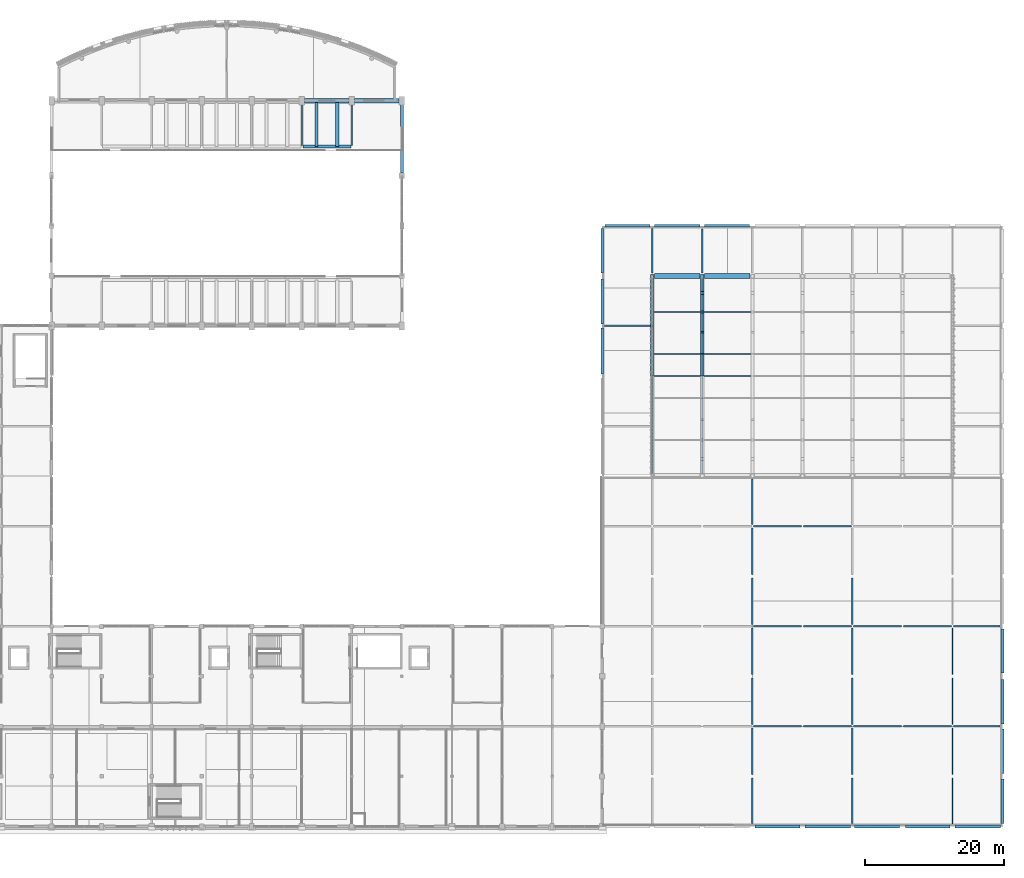
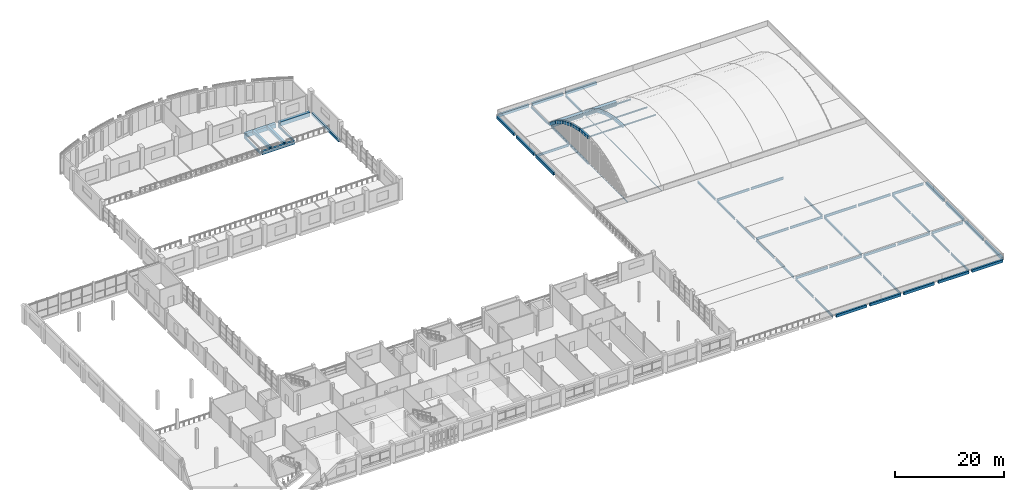
# One storey, part 29 of 71: 74 beams, 2 members.
"""IFC4 building model written with IfcOpenShell, lengths in metres."""

from ifc_helpers import new_model, si_unit, direction, frame, origin, origin_2d, place, context, subcontext, project, spatial, rectangle, hollow_circle, i_section, extrude, material, material_profile, profile_set, type_object, element, save


model = new_model("IFC4")

# Units and contexts
model_context = context("Model", 3, precision=1e-05, world=origin(), true_north=direction((0.0, 1.0)))
body_context = subcontext(model_context, "Body", "Model", "MODEL_VIEW")
ifc_project = project(units=[si_unit("LENGTHUNIT", "METRE"), si_unit("AREAUNIT", "SQUARE_METRE"), si_unit("VOLUMEUNIT", "CUBIC_METRE"), si_unit("PLANEANGLEUNIT", "RADIAN"), si_unit("MASSUNIT", "GRAM", prefix="KILO")], contexts=[model_context])

# Site, building, storey
site_placement = place(None, origin())
site = spatial("IfcSite", under=ifc_project, at=site_placement, CompositionType="ELEMENT")
building_placement = place(site_placement, origin())
building = spatial("IfcBuilding", under=site, at=building_placement, Name="Sardonyx Promenade Sports Hall", CompositionType="ELEMENT")
storey_placement = place(building_placement, frame((0.0, 0.0, 16.0)))
storey = spatial("IfcBuildingStorey", under=building, at=storey_placement, Name="L03", CompositionType="ELEMENT", Elevation=16.0)

# Beams
ifc_material_1 = material(Name="Concrete C50/60", Category="concrete")
ifc_material_profile_1 = material_profile(ifc_material_1, rectangle(XDim=0.64990234375, YDim=0.89990234375, at=origin_2d()))
ifc_profile_set_1 = profile_set([ifc_material_profile_1], Name="Concrete C50/60")
beam_type_1 = type_object("IfcBeamType", Name="Bm_Girder_RC900", PredefinedType="BEAM", material=ifc_profile_set_1)
for number, where, z_axis, x_axis, name in (
    (1, (65.195068359375, 104.39990234375, -0.449951171875), (1.0, 0.0, 0.0), (0.0, 1.0, 0.0), "North stand pier girder L03 #52"),
    (2, (72.39501953125, 104.39990234375, -0.449951171875), (1.0, 0.0, 0.0), (0.0, 1.0, 0.0), "North stand pier girder L03 #53"),
):
    element("IfcBeam", number, at=place(storey_placement, frame(where, z_axis=z_axis, x_axis=x_axis)), inside=storey, type_object=beam_type_1, Name=name, PredefinedType="BEAM", context=body_context, shape_type="SweptSolid", body=[
        extrude(rectangle(XDim=0.64990234375, YDim=0.89990234375, at=origin_2d()), origin(), (0.0, 0.0, 1.0), 6.409912109375),
    ])
ifc_material_2 = material(Name="Steel S355JR", Category="steel")
ifc_material_profile_2 = material_profile(ifc_material_2, i_section(OverallWidth=0.199951171875, OverallDepth=0.5, WebThickness=0.01025390625, FlangeThickness=0.01611328125, at=origin_2d()))
ifc_profile_set_2 = profile_set([ifc_material_profile_2], Name="Steel S355JR")
beam_type_2 = type_object("IfcBeamType", Name="Bm_Primary_IPE500", PredefinedType="BEAM", material=ifc_profile_set_2)
for number, where, z_axis, x_axis, name in (
    (3, (64.800048828125, 97.949951171875, -0.469970703125), (0.0, 1.0, 0.0), (-1.0, 0.0, 0.0), "Beam SB06 L03 #848"),
    (4, (72.0, 97.949951171875, -0.469970703125), (0.0, 1.0, 0.0), (-1.0, 0.0, 0.0), "Beam SB06 L03 #854"),
):
    element("IfcBeam", number, at=place(storey_placement, frame(where, z_axis=z_axis, x_axis=x_axis)), inside=storey, type_object=beam_type_2, Name=name, PredefinedType="BEAM", context=body_context, shape_type="SweptSolid", body=[
        extrude(i_section(OverallWidth=0.199951171875, OverallDepth=0.5, WebThickness=0.01025390625, FlangeThickness=0.01611328125, at=origin_2d()), origin(), (0.0, 0.0, 1.0), 6.0),
    ])
beam_1_placement = place(storey_placement, frame((115.199951171875, 65.044921875, -0.47998046875), z_axis=(0.0, 1.0, 0.0), x_axis=(-1.0, 0.0, 0.0)))
element("IfcBeam", 5, at=beam_1_placement, inside=storey, type_object=beam_type_2, Name="Beam SB06 L03 #890", PredefinedType="BEAM", context=body_context, shape_type="SweptSolid", body=[
    extrude(i_section(OverallWidth=0.199951171875, OverallDepth=0.5, WebThickness=0.01025390625, FlangeThickness=0.01611328125, at=origin_2d()), origin(), (0.0, 0.0, 1.0), 6.7099609375),
])
beam_2_placement = place(storey_placement, frame((115.199951171875, 72.2451171875, -0.47998046875), z_axis=(0.0, 1.0, 0.0), x_axis=(-1.0, 0.0, 0.0)))
element("IfcBeam", 6, at=beam_2_placement, inside=storey, type_object=beam_type_2, Name="Beam SB06 L03 #891", PredefinedType="BEAM", context=body_context, shape_type="SweptSolid", body=[
    extrude(i_section(OverallWidth=0.199951171875, OverallDepth=0.5, WebThickness=0.01025390625, FlangeThickness=0.01611328125, at=origin_2d()), origin(), (0.0, 0.0, 1.0), 6.5048828125),
])
beam_3_placement = place(storey_placement, frame((115.199951171875, 79.64990234375, -0.47998046875), z_axis=(0.0, 1.0, 0.0), x_axis=(-1.0, 0.0, 0.0)))
element("IfcBeam", 7, at=beam_3_placement, inside=storey, type_object=beam_type_2, Name="Beam SB06 L03 #892", PredefinedType="BEAM", context=body_context, shape_type="SweptSolid", body=[
    extrude(i_section(OverallWidth=0.199951171875, OverallDepth=0.5, WebThickness=0.01025390625, FlangeThickness=0.01611328125, at=origin_2d()), origin(), (0.0, 0.0, 1.0), 6.400146484375),
])
beam_4_placement = place(storey_placement, frame((122.39990234375, 79.64990234375, -0.47998046875), z_axis=(0.0, 1.0, 0.0), x_axis=(-1.0, 0.0, 0.0)))
element("IfcBeam", 8, at=beam_4_placement, inside=storey, type_object=beam_type_2, Name="Beam SB06 L03 #893", PredefinedType="BEAM", context=body_context, shape_type="SweptSolid", body=[
    extrude(i_section(OverallWidth=0.199951171875, OverallDepth=0.5, WebThickness=0.01025390625, FlangeThickness=0.01611328125, at=origin_2d()), origin(), (0.0, 0.0, 1.0), 6.300048828125),
])
beam_5_placement = place(storey_placement, frame((129.60009765625, 0.39990234375, -0.489990234375), z_axis=(0.0, 1.0, 0.0), x_axis=(-1.0, 0.0, 0.0)))
element("IfcBeam", 9, at=beam_5_placement, inside=storey, type_object=beam_type_2, Name="Beam SB06 L03 #894", PredefinedType="BEAM", context=body_context, shape_type="SweptSolid", body=[
    extrude(i_section(OverallWidth=0.199951171875, OverallDepth=0.5, WebThickness=0.01025390625, FlangeThickness=0.01611328125, at=origin_2d()), origin(), (0.0, 0.0, 1.0), 6.55517578125),
])
for number, where, z_axis, x_axis, name in (
    (10, (129.60009765625, 7.445068359375, -0.489990234375), (0.0, 1.0, 0.0), (-1.0, 0.0, 0.0), "Beam SB06 L03 #895"),
    (11, (129.60009765625, 14.64501953125, -0.489990234375), (0.0, 1.0, 0.0), (-1.0, 0.0, 0.0), "Beam SB06 L03 #896"),
    (12, (129.60009765625, 21.844970703125, -0.489990234375), (0.0, 1.0, 0.0), (-1.0, 0.0, 0.0), "Beam SB06 L03 #897"),
    (13, (129.60009765625, 29.044921875, -0.489990234375), (0.0, 1.0, 0.0), (-1.0, 0.0, 0.0), "Beam SB06 L03 #898"),
    (14, (129.60009765625, 36.2451171875, -0.489990234375), (0.0, 1.0, 0.0), (-1.0, 0.0, 0.0), "Beam SB06 L03 #899"),
):
    element("IfcBeam", number, at=place(storey_placement, frame(where, z_axis=z_axis, x_axis=x_axis)), inside=storey, type_object=beam_type_2, Name=name, PredefinedType="BEAM", context=body_context, shape_type="SweptSolid", body=[
        extrude(i_section(OverallWidth=0.199951171875, OverallDepth=0.5, WebThickness=0.01025390625, FlangeThickness=0.01611328125, at=origin_2d()), origin(), (0.0, 0.0, 1.0), 6.7099609375),
    ])
beam_6_placement = place(storey_placement, frame((129.60009765625, 43.445068359375, -0.489990234375), z_axis=(0.0, 1.0, 0.0), x_axis=(-1.0, 0.0, 0.0)))
element("IfcBeam", 15, at=beam_6_placement, inside=storey, type_object=beam_type_2, Name="Beam SB06 L03 #900", PredefinedType="BEAM", context=body_context, shape_type="SweptSolid", body=[
    extrude(i_section(OverallWidth=0.199951171875, OverallDepth=0.5, WebThickness=0.01025390625, FlangeThickness=0.01611328125, at=origin_2d()), origin(), (0.0, 0.0, 1.0), 6.5048828125),
])
beam_7_placement = place(storey_placement, frame((144.0, 0.449951171875, -0.489990234375), z_axis=(0.0, 1.0, 0.0), x_axis=(-1.0, 0.0, 0.0)))
element("IfcBeam", 16, at=beam_7_placement, inside=storey, type_object=beam_type_2, Name="Beam SB06 L03 #903", PredefinedType="BEAM", context=body_context, shape_type="SweptSolid", body=[
    extrude(i_section(OverallWidth=0.199951171875, OverallDepth=0.5, WebThickness=0.01025390625, FlangeThickness=0.01611328125, at=origin_2d()), origin(), (0.0, 0.0, 1.0), 6.505126953125),
])
for number, where, z_axis, x_axis, name in (
    (17, (144.0, 7.445068359375, -0.489990234375), (0.0, 1.0, 0.0), (-1.0, 0.0, 0.0), "Beam SB06 L03 #904"),
    (18, (144.0, 14.64501953125, -0.489990234375), (0.0, 1.0, 0.0), (-1.0, 0.0, 0.0), "Beam SB06 L03 #905"),
    (19, (144.0, 21.844970703125, -0.489990234375), (0.0, 1.0, 0.0), (-1.0, 0.0, 0.0), "Beam SB06 L03 #906"),
    (20, (144.0, 29.044921875, -0.489990234375), (0.0, 1.0, 0.0), (-1.0, 0.0, 0.0), "Beam SB06 L03 #907"),
):
    element("IfcBeam", number, at=place(storey_placement, frame(where, z_axis=z_axis, x_axis=x_axis)), inside=storey, type_object=beam_type_2, Name=name, PredefinedType="BEAM", context=body_context, shape_type="SweptSolid", body=[
        extrude(i_section(OverallWidth=0.199951171875, OverallDepth=0.5, WebThickness=0.01025390625, FlangeThickness=0.01611328125, at=origin_2d()), origin(), (0.0, 0.0, 1.0), 6.7099609375),
    ])
beam_8_placement = place(storey_placement, frame((158.39990234375, 0.35009765625, -0.489990234375), z_axis=(0.0, 1.0, 0.0), x_axis=(-1.0, 0.0, 0.0)))
element("IfcBeam", 21, at=beam_8_placement, inside=storey, type_object=beam_type_2, Name="Beam SB06 L03 #912", PredefinedType="BEAM", context=body_context, shape_type="SweptSolid", body=[
    extrude(i_section(OverallWidth=0.199951171875, OverallDepth=0.5, WebThickness=0.01025390625, FlangeThickness=0.01611328125, at=origin_2d()), origin(), (0.0, 0.0, 1.0), 6.60498046875),
])
for number, where, z_axis, x_axis, name in (
    (22, (158.39990234375, 7.445068359375, -0.489990234375), (0.0, 1.0, 0.0), (-1.0, 0.0, 0.0), "Beam SB06 L03 #913"),
    (23, (158.39990234375, 14.64501953125, -0.489990234375), (0.0, 1.0, 0.0), (-1.0, 0.0, 0.0), "Beam SB06 L03 #914"),
    (24, (158.39990234375, 21.844970703125, -0.489990234375), (0.0, 1.0, 0.0), (-1.0, 0.0, 0.0), "Beam SB06 L03 #915"),
):
    element("IfcBeam", number, at=place(storey_placement, frame(where, z_axis=z_axis, x_axis=x_axis)), inside=storey, type_object=beam_type_2, Name=name, PredefinedType="BEAM", context=body_context, shape_type="SweptSolid", body=[
        extrude(i_section(OverallWidth=0.199951171875, OverallDepth=0.5, WebThickness=0.01025390625, FlangeThickness=0.01611328125, at=origin_2d()), origin(), (0.0, 0.0, 1.0), 6.7099609375),
    ])
ifc_material_3 = material(Name="Steel S355JR", Category="steel")
ifc_material_profile_3 = material_profile(ifc_material_3, i_section(OverallWidth=0.2099609375, OverallDepth=0.550048828125, WebThickness=0.010986328125, FlangeThickness=0.01708984375, at=origin_2d()))
ifc_profile_set_3 = profile_set([ifc_material_profile_3], Name="Steel S355JR")
beam_type_3 = type_object("IfcBeamType", Name="Bm_Primary_IPE550", PredefinedType="BEAM", material=ifc_profile_set_3)
beam_9_placement = place(storey_placement, frame((129.75, 14.39990234375, -0.514892578125), z_axis=(1.0, 0.0, 0.0), x_axis=(0.0, 1.0, 0.0)))
element("IfcBeam", 25, at=beam_9_placement, inside=storey, type_object=beam_type_3, Name="Beam SB03 L03 #747", PredefinedType="BEAM", context=body_context, shape_type="SweptSolid", body=[
    extrude(i_section(OverallWidth=0.2099609375, OverallDepth=0.550048828125, WebThickness=0.010986328125, FlangeThickness=0.01708984375, at=origin_2d()), origin(), (0.0, 0.0, 1.0), 6.89990234375),
])
for number, where, z_axis, x_axis, name in (
    (26, (136.949951171875, 14.39990234375, -0.514892578125), (1.0, 0.0, 0.0), (0.0, 1.0, 0.0), "Beam SB03 L03 #748"),
    (27, (144.14990234375, 14.39990234375, -0.514892578125), (1.0, 0.0, 0.0), (0.0, 1.0, 0.0), "Beam SB03 L03 #749"),
):
    element("IfcBeam", number, at=place(storey_placement, frame(where, z_axis=z_axis, x_axis=x_axis)), inside=storey, type_object=beam_type_3, Name=name, PredefinedType="BEAM", context=body_context, shape_type="SweptSolid", body=[
        extrude(i_section(OverallWidth=0.2099609375, OverallDepth=0.550048828125, WebThickness=0.010986328125, FlangeThickness=0.01708984375, at=origin_2d()), origin(), (0.0, 0.0, 1.0), 6.900146484375),
    ])
beam_10_placement = place(storey_placement, frame((151.35009765625, 14.39990234375, -0.514892578125), z_axis=(1.0, 0.0, 0.0), x_axis=(0.0, 1.0, 0.0)))
element("IfcBeam", 28, at=beam_10_placement, inside=storey, type_object=beam_type_3, Name="Beam SB03 L03 #750", PredefinedType="BEAM", context=body_context, shape_type="SweptSolid", body=[
    extrude(i_section(OverallWidth=0.2099609375, OverallDepth=0.550048828125, WebThickness=0.010986328125, FlangeThickness=0.01708984375, at=origin_2d()), origin(), (0.0, 0.0, 1.0), 6.89990234375),
])
beam_11_placement = place(storey_placement, frame((158.550048828125, 14.39990234375, -0.514892578125), z_axis=(1.0, 0.0, 0.0), x_axis=(0.0, 1.0, 0.0)))
element("IfcBeam", 29, at=beam_11_placement, inside=storey, type_object=beam_type_3, Name="Beam SB03 L03 #751", PredefinedType="BEAM", context=body_context, shape_type="SweptSolid", body=[
    extrude(i_section(OverallWidth=0.2099609375, OverallDepth=0.550048828125, WebThickness=0.010986328125, FlangeThickness=0.01708984375, at=origin_2d()), origin(), (0.0, 0.0, 1.0), 6.699951171875),
])
beam_12_placement = place(storey_placement, frame((129.75, 28.800048828125, -0.514892578125), z_axis=(1.0, 0.0, 0.0), x_axis=(0.0, 1.0, 0.0)))
element("IfcBeam", 30, at=beam_12_placement, inside=storey, type_object=beam_type_3, Name="Beam SB03 L03 #770", PredefinedType="BEAM", context=body_context, shape_type="SweptSolid", body=[
    extrude(i_section(OverallWidth=0.2099609375, OverallDepth=0.550048828125, WebThickness=0.010986328125, FlangeThickness=0.01708984375, at=origin_2d()), origin(), (0.0, 0.0, 1.0), 6.89990234375),
])
for number, where, z_axis, x_axis, name in (
    (31, (136.949951171875, 28.800048828125, -0.514892578125), (1.0, 0.0, 0.0), (0.0, 1.0, 0.0), "Beam SB03 L03 #771"),
    (32, (144.14990234375, 28.800048828125, -0.514892578125), (1.0, 0.0, 0.0), (0.0, 1.0, 0.0), "Beam SB03 L03 #772"),
):
    element("IfcBeam", number, at=place(storey_placement, frame(where, z_axis=z_axis, x_axis=x_axis)), inside=storey, type_object=beam_type_3, Name=name, PredefinedType="BEAM", context=body_context, shape_type="SweptSolid", body=[
        extrude(i_section(OverallWidth=0.2099609375, OverallDepth=0.550048828125, WebThickness=0.010986328125, FlangeThickness=0.01708984375, at=origin_2d()), origin(), (0.0, 0.0, 1.0), 6.900146484375),
    ])
beam_13_placement = place(storey_placement, frame((151.35009765625, 28.800048828125, -0.514892578125), z_axis=(1.0, 0.0, 0.0), x_axis=(0.0, 1.0, 0.0)))
element("IfcBeam", 33, at=beam_13_placement, inside=storey, type_object=beam_type_3, Name="Beam SB03 L03 #773", PredefinedType="BEAM", context=body_context, shape_type="SweptSolid", body=[
    extrude(i_section(OverallWidth=0.2099609375, OverallDepth=0.550048828125, WebThickness=0.010986328125, FlangeThickness=0.01708984375, at=origin_2d()), origin(), (0.0, 0.0, 1.0), 6.89990234375),
])
beam_14_placement = place(storey_placement, frame((158.550048828125, 28.800048828125, -0.514892578125), z_axis=(1.0, 0.0, 0.0), x_axis=(0.0, 1.0, 0.0)))
element("IfcBeam", 34, at=beam_14_placement, inside=storey, type_object=beam_type_3, Name="Beam SB03 L03 #774", PredefinedType="BEAM", context=body_context, shape_type="SweptSolid", body=[
    extrude(i_section(OverallWidth=0.2099609375, OverallDepth=0.550048828125, WebThickness=0.010986328125, FlangeThickness=0.01708984375, at=origin_2d()), origin(), (0.0, 0.0, 1.0), 6.64990234375),
])
beam_15_placement = place(storey_placement, frame((129.75, 43.199951171875, -0.514892578125), z_axis=(1.0, 0.0, 0.0), x_axis=(0.0, 1.0, 0.0)))
element("IfcBeam", 35, at=beam_15_placement, inside=storey, type_object=beam_type_3, Name="Beam SB03 L03 #779", PredefinedType="BEAM", context=body_context, shape_type="SweptSolid", body=[
    extrude(i_section(OverallWidth=0.2099609375, OverallDepth=0.550048828125, WebThickness=0.010986328125, FlangeThickness=0.01708984375, at=origin_2d()), origin(), (0.0, 0.0, 1.0), 6.89990234375),
])
beam_16_placement = place(storey_placement, frame((136.949951171875, 43.199951171875, -0.514892578125), z_axis=(1.0, 0.0, 0.0), x_axis=(0.0, 1.0, 0.0)))
element("IfcBeam", 36, at=beam_16_placement, inside=storey, type_object=beam_type_3, Name="Beam SB03 L03 #780", PredefinedType="BEAM", context=body_context, shape_type="SweptSolid", body=[
    extrude(i_section(OverallWidth=0.2099609375, OverallDepth=0.550048828125, WebThickness=0.010986328125, FlangeThickness=0.01708984375, at=origin_2d()), origin(), (0.0, 0.0, 1.0), 6.900146484375),
])
beam_17_placement = place(storey_placement, frame((108.300048828125, 72.0, -0.5048828125), z_axis=(1.0, 0.0, 0.0), x_axis=(0.0, 1.0, 0.0)))
element("IfcBeam", 37, at=beam_17_placement, inside=storey, type_object=beam_type_3, Name="Beam SB03 L03 #798", PredefinedType="BEAM", context=body_context, shape_type="SweptSolid", body=[
    extrude(i_section(OverallWidth=0.2099609375, OverallDepth=0.550048828125, WebThickness=0.010986328125, FlangeThickness=0.01708984375, at=origin_2d()), origin(), (0.0, 0.0, 1.0), 6.75),
])
ifc_material_4 = material(Name="Concrete C40/50", Category="concrete")
ifc_material_profile_4 = material_profile(ifc_material_4, rectangle(XDim=0.449951171875, YDim=0.699951171875, at=origin_2d()))
ifc_profile_set_4 = profile_set([ifc_material_profile_4], Name="Concrete C40/50")
beam_type_4 = type_object("IfcBeamType", Name="Bm_Primary_RC700", PredefinedType="BEAM", material=ifc_profile_set_4)
beam_18_placement = place(storey_placement, frame((64.947998046875, 97.800048828125, -0.35009765625), z_axis=(1.0, 0.0, 0.0), x_axis=(0.0, 1.0, 0.0)))
element("IfcBeam", 38, at=beam_18_placement, inside=storey, type_object=beam_type_4, Name="Concourse longitudinal beam #39", PredefinedType="BEAM", context=body_context, shape_type="SweptSolid", body=[
    extrude(rectangle(XDim=0.449951171875, YDim=0.699951171875, at=origin_2d()), origin(), (0.0, 0.0, 1.0), 6.904052734375),
])
ifc_material_5 = material(Name="Concrete C40/50", Category="concrete")
ifc_material_profile_5 = material_profile(ifc_material_5, rectangle(XDim=0.449951171875, YDim=0.699951171875, at=origin_2d()))
ifc_profile_set_5 = profile_set([ifc_material_profile_5], Name="Concrete C40/50")
beam_type_5 = type_object("IfcBeamType", Name="Bm_Raker_Stand", PredefinedType="BEAM", material=ifc_profile_set_5)
for number, where, z_axis, x_axis, name in (
    (39, (66.89990234375, 97.800048828125, -0.10009765625), (0.0, 0.999995030106, 0.003152739147), (-1.0, 0.0, 0.0), "Stand raker beam upper N #4-1"),
    (40, (69.89990234375, 97.800048828125, -0.10009765625), (0.0, 0.999995030106, 0.003152739147), (-1.0, 0.0, 0.0), "Stand raker beam upper N #4-2"),
):
    element("IfcBeam", number, at=place(storey_placement, frame(where, z_axis=z_axis, x_axis=x_axis)), inside=storey, type_object=beam_type_5, Name=name, PredefinedType="BEAM", context=body_context, shape_type="SweptSolid", body=[
        extrude(rectangle(XDim=0.449951171875, YDim=0.699951171875, at=origin_2d()), origin(), (0.0, 0.0, 1.0), 6.349853515625),
    ])
ifc_material_6 = material(Name="Concrete C40/50", Category="concrete")
ifc_material_profile_6 = material_profile(ifc_material_6, rectangle(XDim=0.699951171875, YDim=0.89990234375, at=origin_2d()))
ifc_profile_set_6 = profile_set([ifc_material_profile_6], Name="Concrete C40/50")
beam_type_6 = type_object("IfcBeamType", Name="Bm_Ring_Prac", PredefinedType="BEAM", material=ifc_profile_set_6)
beam_19_placement = place(storey_placement, frame((115.544921875, 79.199951171875, -0.449951171875), z_axis=(1.0, 0.0, 0.0), x_axis=(0.0, 1.0, 0.0)))
element("IfcBeam", 41, at=beam_19_placement, inside=storey, type_object=beam_type_6, Name="Vault springing ring beam RB2 V2 N1", PredefinedType="BEAM", context=body_context, shape_type="SweptSolid", body=[
    extrude(rectangle(XDim=0.699951171875, YDim=0.89990234375, at=origin_2d()), origin(), (0.0, 0.0, 1.0), 6.510009765625),
])
beam_20_placement = place(storey_placement, frame((122.7451171875, 79.199951171875, -0.449951171875), z_axis=(1.0, 0.0, 0.0), x_axis=(0.0, 1.0, 0.0)))
element("IfcBeam", 42, at=beam_20_placement, inside=storey, type_object=beam_type_6, Name="Vault springing ring beam RB2 V2 N2", PredefinedType="BEAM", context=body_context, shape_type="SweptSolid", body=[
    extrude(rectangle(XDim=0.699951171875, YDim=0.89990234375, at=origin_2d()), origin(), (0.0, 0.0, 1.0), 6.509765625),
])
ifc_material_7 = material(Name="Concrete C40/50", Category="concrete")
ifc_material_profile_7 = material_profile(ifc_material_7, rectangle(XDim=0.39990234375, YDim=0.60009765625, at=origin_2d()))
ifc_profile_set_7 = profile_set([ifc_material_profile_7], Name="Concrete C40/50")
beam_type_7 = type_object("IfcBeamType", Name="Bm_Spandrel_RC600", PredefinedType="SPANDREL", material=ifc_profile_set_7)
beam_21_placement = place(storey_placement, frame((130.0, 0.0, -0.300048828125), z_axis=(1.0, 0.0, 0.0), x_axis=(0.0, 1.0, 0.0)))
element("IfcBeam", 43, at=beam_21_placement, inside=storey, type_object=beam_type_7, Name="Beam SPB1 L03 #724", PredefinedType="SPANDREL", context=body_context, shape_type="SweptSolid", body=[
    extrude(rectangle(XDim=0.39990234375, YDim=0.60009765625, at=origin_2d()), origin(), (0.0, 0.0, 1.0), 6.449951171875),
])
beam_22_placement = place(storey_placement, frame((137.14990234375, 0.0, -0.300048828125), z_axis=(1.0, 0.0, 0.0), x_axis=(0.0, 1.0, 0.0)))
element("IfcBeam", 44, at=beam_22_placement, inside=storey, type_object=beam_type_7, Name="Beam SPB1 L03 #725", PredefinedType="SPANDREL", context=body_context, shape_type="SweptSolid", body=[
    extrude(rectangle(XDim=0.39990234375, YDim=0.60009765625, at=origin_2d()), origin(), (0.0, 0.0, 1.0), 6.550048828125),
])
beam_23_placement = place(storey_placement, frame((144.300048828125, 0.0, -0.300048828125), z_axis=(1.0, 0.0, 0.0), x_axis=(0.0, 1.0, 0.0)))
element("IfcBeam", 45, at=beam_23_placement, inside=storey, type_object=beam_type_7, Name="Beam SPB1 L03 #726", PredefinedType="SPANDREL", context=body_context, shape_type="SweptSolid", body=[
    extrude(rectangle(XDim=0.39990234375, YDim=0.60009765625, at=origin_2d()), origin(), (0.0, 0.0, 1.0), 6.5),
])
beam_24_placement = place(storey_placement, frame((151.60009765625, 0.0, -0.300048828125), z_axis=(1.0, 0.0, 0.0), x_axis=(0.0, 1.0, 0.0)))
element("IfcBeam", 46, at=beam_24_placement, inside=storey, type_object=beam_type_7, Name="Beam SPB1 L03 #727", PredefinedType="SPANDREL", context=body_context, shape_type="SweptSolid", body=[
    extrude(rectangle(XDim=0.39990234375, YDim=0.60009765625, at=origin_2d()), origin(), (0.0, 0.0, 1.0), 6.449951171875),
])
beam_25_placement = place(storey_placement, frame((158.75, 0.0, -0.300048828125), z_axis=(1.0, 0.0, 0.0), x_axis=(0.0, 1.0, 0.0)))
element("IfcBeam", 47, at=beam_25_placement, inside=storey, type_object=beam_type_7, Name="Beam SPB1 L03 #728", PredefinedType="SPANDREL", context=body_context, shape_type="SweptSolid", body=[
    extrude(rectangle(XDim=0.39990234375, YDim=0.60009765625, at=origin_2d()), origin(), (0.0, 0.0, 1.0), 6.550048828125),
])
beam_26_placement = place(storey_placement, frame((108.39990234375, 86.39990234375, -0.300048828125), z_axis=(1.0, 0.0, 0.0), x_axis=(0.0, 1.0, 0.0)))
element("IfcBeam", 48, at=beam_26_placement, inside=storey, type_object=beam_type_7, Name="Beam SPB1 L03 #800", PredefinedType="SPANDREL", context=body_context, shape_type="SweptSolid", body=[
    extrude(rectangle(XDim=0.39990234375, YDim=0.60009765625, at=origin_2d()), origin(), (0.0, 0.0, 1.0), 6.4501953125),
])
beam_27_placement = place(storey_placement, frame((115.550048828125, 86.39990234375, -0.300048828125), z_axis=(1.0, 0.0, 0.0), x_axis=(0.0, 1.0, 0.0)))
element("IfcBeam", 49, at=beam_27_placement, inside=storey, type_object=beam_type_7, Name="Beam SPB1 L03 #801", PredefinedType="SPANDREL", context=body_context, shape_type="SweptSolid", body=[
    extrude(rectangle(XDim=0.39990234375, YDim=0.60009765625, at=origin_2d()), origin(), (0.0, 0.0, 1.0), 6.550048828125),
])
beam_28_placement = place(storey_placement, frame((122.699951171875, 86.39990234375, -0.300048828125), z_axis=(1.0, 0.0, 0.0), x_axis=(0.0, 1.0, 0.0)))
element("IfcBeam", 50, at=beam_28_placement, inside=storey, type_object=beam_type_7, Name="Beam SPB1 L03 #802", PredefinedType="SPANDREL", context=body_context, shape_type="SweptSolid", body=[
    extrude(rectangle(XDim=0.39990234375, YDim=0.60009765625, at=origin_2d()), origin(), (0.0, 0.0, 1.0), 6.5),
])
beam_29_placement = place(storey_placement, frame((79.199951171875, 94.0, -0.300048828125), z_axis=(0.0, 1.0, 0.0), x_axis=(-1.0, 0.0, 0.0)))
element("IfcBeam", 51, at=beam_29_placement, inside=storey, type_object=beam_type_7, Name="Beam SPB1 L03 #856", PredefinedType="SPANDREL", context=body_context, shape_type="SweptSolid", body=[
    extrude(rectangle(XDim=0.39990234375, YDim=0.60009765625, at=origin_2d()), origin(), (0.0, 0.0, 1.0), 9.949951171875),
])
beam_30_placement = place(storey_placement, frame((108.0, 65.10009765625, -0.300048828125), z_axis=(0.0, 1.0, 0.0), x_axis=(-1.0, 0.0, 0.0)))
element("IfcBeam", 52, at=beam_30_placement, inside=storey, type_object=beam_type_7, Name="Beam SPB1 L03 #878", PredefinedType="SPANDREL", context=body_context, shape_type="SweptSolid", body=[
    extrude(rectangle(XDim=0.39990234375, YDim=0.60009765625, at=origin_2d()), origin(), (0.0, 0.0, 1.0), 6.599853515625),
])
beam_31_placement = place(storey_placement, frame((108.0, 72.300048828125, -0.300048828125), z_axis=(0.0, 1.0, 0.0), x_axis=(-1.0, 0.0, 0.0)))
element("IfcBeam", 53, at=beam_31_placement, inside=storey, type_object=beam_type_7, Name="Beam SPB1 L03 #879", PredefinedType="SPANDREL", context=body_context, shape_type="SweptSolid", body=[
    extrude(rectangle(XDim=0.39990234375, YDim=0.60009765625, at=origin_2d()), origin(), (0.0, 0.0, 1.0), 6.449951171875),
])
for number, where, z_axis, x_axis, name in (
    (54, (108.0, 79.64990234375, -0.300048828125), (0.0, 1.0, 0.0), (-1.0, 0.0, 0.0), "Beam SPB1 L03 #880"),
    (55, (165.60009765625, 0.449951171875, -0.300048828125), (0.0, 1.0, 0.0), (-1.0, 0.0, 0.0), "Beam SPB1 L03 #924"),
):
    element("IfcBeam", number, at=place(storey_placement, frame(where, z_axis=z_axis, x_axis=x_axis)), inside=storey, type_object=beam_type_7, Name=name, PredefinedType="SPANDREL", context=body_context, shape_type="SweptSolid", body=[
        extrude(rectangle(XDim=0.39990234375, YDim=0.60009765625, at=origin_2d()), origin(), (0.0, 0.0, 1.0), 6.35009765625),
    ])
beam_32_placement = place(storey_placement, frame((165.60009765625, 7.60009765625, -0.300048828125), z_axis=(0.0, 1.0, 0.0), x_axis=(-1.0, 0.0, 0.0)))
element("IfcBeam", 56, at=beam_32_placement, inside=storey, type_object=beam_type_7, Name="Beam SPB1 L03 #925", PredefinedType="SPANDREL", context=body_context, shape_type="SweptSolid", body=[
    extrude(rectangle(XDim=0.39990234375, YDim=0.60009765625, at=origin_2d()), origin(), (0.0, 0.0, 1.0), 6.449951171875),
])
beam_33_placement = place(storey_placement, frame((165.60009765625, 14.75, -0.300048828125), z_axis=(0.0, 1.0, 0.0), x_axis=(-1.0, 0.0, 0.0)))
element("IfcBeam", 57, at=beam_33_placement, inside=storey, type_object=beam_type_7, Name="Beam SPB1 L03 #926", PredefinedType="SPANDREL", context=body_context, shape_type="SweptSolid", body=[
    extrude(rectangle(XDim=0.39990234375, YDim=0.60009765625, at=origin_2d()), origin(), (0.0, 0.0, 1.0), 6.39990234375),
])
beam_34_placement = place(storey_placement, frame((165.60009765625, 22.050048828125, -0.300048828125), z_axis=(0.0, 1.0, 0.0), x_axis=(-1.0, 0.0, 0.0)))
element("IfcBeam", 58, at=beam_34_placement, inside=storey, type_object=beam_type_7, Name="Beam SPB1 L03 #927", PredefinedType="SPANDREL", context=body_context, shape_type="SweptSolid", body=[
    extrude(rectangle(XDim=0.39990234375, YDim=0.60009765625, at=origin_2d()), origin(), (0.0, 0.0, 1.0), 6.349853515625),
])
ifc_material_8 = material(Name="Steel S355JR", Category="steel")
ifc_material_profile_8 = material_profile(ifc_material_8, i_section(OverallWidth=0.14990234375, OverallDepth=0.300048828125, WebThickness=0.007080078125, FlangeThickness=0.0107421875, at=origin_2d()))
ifc_profile_set_8 = profile_set([ifc_material_profile_8], Name="Steel S355JR")
beam_type_8 = type_object("IfcBeamType", Name="Bm_VaultPurlin_Ext", PredefinedType="BEAM", material=ifc_profile_set_8)
for number, where, z_axis, x_axis, name in (
    (59, (115.423095703125, 64.800048828125, 5.6298828125), (1.0, 0.0, 0.0), (0.0, 1.0, 0.0), "Vault longitudinal purlin V2 bay 1 line 5"),
    (60, (115.423095703125, 67.969482421875, 5.38671875), (1.0, 0.0, 0.0), (0.0, 1.0, 0.0), "Vault longitudinal purlin V2 bay 1 line 6"),
    (61, (115.423095703125, 74.013671875, 3.47509765625), (1.0, 0.0, 0.0), (0.0, 1.0, 0.0), "Vault longitudinal purlin V2 bay 1 line 8"),
    (62, (122.623046875, 64.800048828125, 5.6298828125), (1.0, 0.0, 0.0), (0.0, 1.0, 0.0), "Vault longitudinal purlin V2 bay 2 line 5"),
    (63, (122.623046875, 67.969482421875, 5.38671875), (1.0, 0.0, 0.0), (0.0, 1.0, 0.0), "Vault longitudinal purlin V2 bay 2 line 6"),
    (64, (122.623046875, 74.013671875, 3.47509765625), (1.0, 0.0, 0.0), (0.0, 1.0, 0.0), "Vault longitudinal purlin V2 bay 2 line 8"),
):
    element("IfcBeam", number, at=place(storey_placement, frame(where, z_axis=z_axis, x_axis=x_axis)), inside=storey, type_object=beam_type_8, Name=name, PredefinedType="BEAM", context=body_context, shape_type="SweptSolid", body=[
        extrude(i_section(OverallWidth=0.14990234375, OverallDepth=0.300048828125, WebThickness=0.007080078125, FlangeThickness=0.0107421875, at=origin_2d()), origin(), (0.0, 0.0, 1.0), 6.75390625),
    ])
ifc_material_9 = material(Name="Concrete C40/50", Category="concrete")
ifc_material_profile_9 = material_profile(ifc_material_9, rectangle(XDim=0.449951171875, YDim=0.60009765625, at=origin_2d()))
ifc_profile_set_9 = profile_set([ifc_material_profile_9], Name="Concrete C40/50")
beam_type_9 = type_object("IfcBeamType", Name="Bm_VaultRib_Prac", PredefinedType="USERDEFINED", material=ifc_profile_set_9)
beam_35_placement = place(storey_placement, frame((115.199951171875, 64.800048828125, 5.5), z_axis=(0.0, 0.997069826309, -0.076496806887), x_axis=(-1.0, 0.0, 0.0)))
element("IfcBeam", 65, at=beam_35_placement, inside=storey, type_object=beam_type_9, Name="Barrel-vault arch rib AR2 Grid 17 chord 6", ObjectType="ARCH RIB", PredefinedType="USERDEFINED", context=body_context, shape_type="SweptSolid", body=[
    extrude(rectangle(XDim=0.449951171875, YDim=0.60009765625, at=origin_2d()), origin(), (0.0, 0.0, 1.0), 3.1787109375),
])
for number, where, z_axis, x_axis, name in (
    (66, (115.199951171875, 67.969482421875, 5.2568359375), (0.0, 0.973729495591, -0.227707859802), (-1.0, 0.0, 0.0), "Barrel-vault arch rib AR2 Grid 17 chord 7"),
    (67, (115.199951171875, 71.06494140625, 4.532958984375), (0.0, 0.927578888077, -0.373627363015), (-1.0, 0.0, 0.0), "Barrel-vault arch rib AR2 Grid 17 chord 8"),
):
    element("IfcBeam", number, at=place(storey_placement, frame(where, z_axis=z_axis, x_axis=x_axis)), inside=storey, type_object=beam_type_9, Name=name, ObjectType="ARCH RIB", PredefinedType="USERDEFINED", context=body_context, shape_type="SweptSolid", body=[
        extrude(rectangle(XDim=0.449951171875, YDim=0.60009765625, at=origin_2d()), origin(), (0.0, 0.0, 1.0), 3.178955078125),
    ])
beam_36_placement = place(storey_placement, frame((115.199951171875, 74.013671875, 3.34521484375), z_axis=(0.0, 0.859734607661, -0.510741034567), x_axis=(-1.0, 0.0, 0.0)))
element("IfcBeam", 68, at=beam_36_placement, inside=storey, type_object=beam_type_9, Name="Barrel-vault arch rib AR2 Grid 17 chord 9", ObjectType="ARCH RIB", PredefinedType="USERDEFINED", context=body_context, shape_type="SweptSolid", body=[
    extrude(rectangle(XDim=0.449951171875, YDim=0.60009765625, at=origin_2d()), origin(), (0.0, 0.0, 1.0), 3.1787109375),
])
beam_37_placement = place(storey_placement, frame((115.199951171875, 76.74658203125, 1.7216796875), z_axis=(0.0, 0.771728467273, -0.635952178076), x_axis=(-1.0, 0.0, 0.0)))
element("IfcBeam", 69, at=beam_37_placement, inside=storey, type_object=beam_type_9, Name="Barrel-vault arch rib AR2 Grid 17 chord 10", ObjectType="ARCH RIB", PredefinedType="USERDEFINED", context=body_context, shape_type="SweptSolid", body=[
    extrude(rectangle(XDim=0.449951171875, YDim=0.60009765625, at=origin_2d()), origin(), (0.0, 0.0, 1.0), 3.178955078125),
])
beam_38_placement = place(storey_placement, frame((122.39990234375, 64.800048828125, 5.5), z_axis=(0.0, 0.997069826309, -0.076496806887), x_axis=(-1.0, 0.0, 0.0)))
element("IfcBeam", 70, at=beam_38_placement, inside=storey, type_object=beam_type_9, Name="Barrel-vault arch rib AR2 Grid 18 chord 6", ObjectType="ARCH RIB", PredefinedType="USERDEFINED", context=body_context, shape_type="SweptSolid", body=[
    extrude(rectangle(XDim=0.449951171875, YDim=0.60009765625, at=origin_2d()), origin(), (0.0, 0.0, 1.0), 3.1787109375),
])
for number, where, z_axis, x_axis, name in (
    (71, (122.39990234375, 67.969482421875, 5.2568359375), (0.0, 0.973729495591, -0.227707859802), (-1.0, 0.0, 0.0), "Barrel-vault arch rib AR2 Grid 18 chord 7"),
    (72, (122.39990234375, 71.06494140625, 4.532958984375), (0.0, 0.927578888077, -0.373627363015), (-1.0, 0.0, 0.0), "Barrel-vault arch rib AR2 Grid 18 chord 8"),
):
    element("IfcBeam", number, at=place(storey_placement, frame(where, z_axis=z_axis, x_axis=x_axis)), inside=storey, type_object=beam_type_9, Name=name, ObjectType="ARCH RIB", PredefinedType="USERDEFINED", context=body_context, shape_type="SweptSolid", body=[
        extrude(rectangle(XDim=0.449951171875, YDim=0.60009765625, at=origin_2d()), origin(), (0.0, 0.0, 1.0), 3.178955078125),
    ])
beam_39_placement = place(storey_placement, frame((122.39990234375, 74.013671875, 3.34521484375), z_axis=(0.0, 0.859734607661, -0.510741034567), x_axis=(-1.0, 0.0, 0.0)))
element("IfcBeam", 73, at=beam_39_placement, inside=storey, type_object=beam_type_9, Name="Barrel-vault arch rib AR2 Grid 18 chord 9", ObjectType="ARCH RIB", PredefinedType="USERDEFINED", context=body_context, shape_type="SweptSolid", body=[
    extrude(rectangle(XDim=0.449951171875, YDim=0.60009765625, at=origin_2d()), origin(), (0.0, 0.0, 1.0), 3.1787109375),
])
beam_40_placement = place(storey_placement, frame((122.39990234375, 76.74658203125, 1.7216796875), z_axis=(0.0, 0.771728467273, -0.635952178076), x_axis=(-1.0, 0.0, 0.0)))
element("IfcBeam", 74, at=beam_40_placement, inside=storey, type_object=beam_type_9, Name="Barrel-vault arch rib AR2 Grid 18 chord 10", ObjectType="ARCH RIB", PredefinedType="USERDEFINED", context=body_context, shape_type="SweptSolid", body=[
    extrude(rectangle(XDim=0.449951171875, YDim=0.60009765625, at=origin_2d()), origin(), (0.0, 0.0, 1.0), 3.178955078125),
])

# Members
ifc_material_10 = material(Name="Steel S355JR", Category="steel")
ifc_material_profile_10 = material_profile(ifc_material_10, hollow_circle(Radius=0.084228515625, WallThickness=0.008056640625, at=origin_2d()))
ifc_profile_set_10 = profile_set([ifc_material_profile_10], Name="Steel S355JR")
member_type = type_object("IfcMemberType", Name="Mbr_VaultTie_CHS168", PredefinedType="CHORD", material=ifc_profile_set_10)
for number, where, z_axis, x_axis, name in (
    (75, (115.199951171875, 50.75, -0.449951171875), (0.0, 1.0, 0.0), (-1.0, 0.0, 0.0), "Vault springing tie-rod VT02 Grid 17"),
    (76, (122.39990234375, 50.75, -0.449951171875), (0.0, 1.0, 0.0), (-1.0, 0.0, 0.0), "Vault springing tie-rod VT02 Grid 18"),
):
    element("IfcMember", number, at=place(storey_placement, frame(where, z_axis=z_axis, x_axis=x_axis)), inside=storey, type_object=member_type, Name=name, PredefinedType="CHORD", context=body_context, shape_type="SweptSolid", body=[
        extrude(hollow_circle(Radius=0.084228515625, WallThickness=0.008056640625, at=origin_2d()), origin(), (0.0, 0.0, 1.0), 28.10009765625),
    ])

save(model, "model.ifc")
